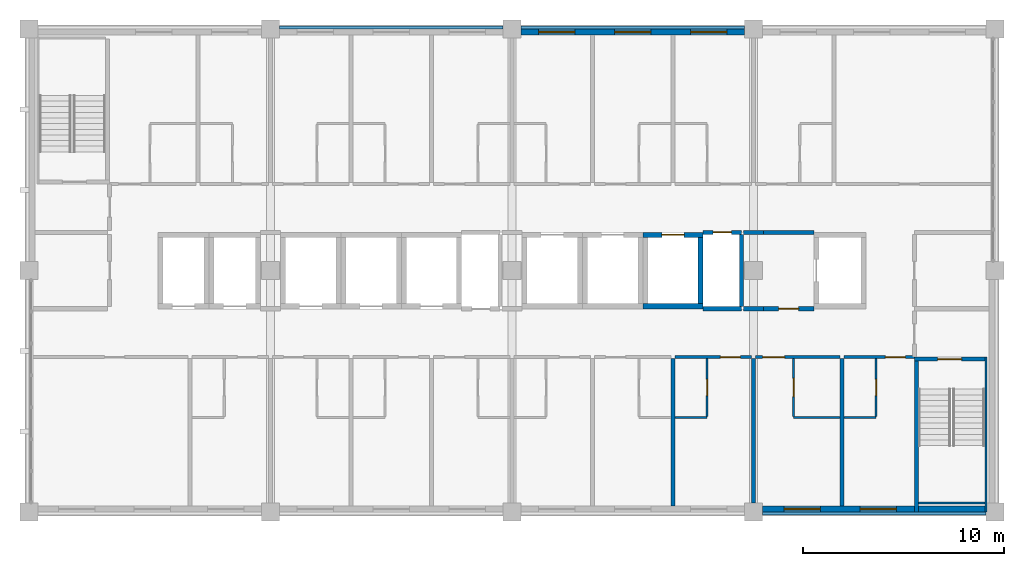
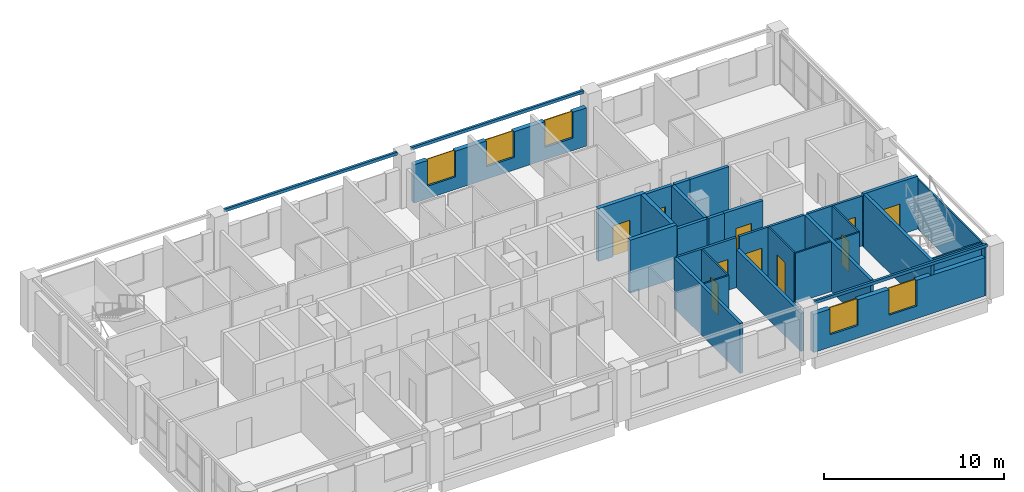
# One storey, part 9 of 11: 31 walls, 10 doors, 5 windows, 15 openings.
"""IFC4 building model written with IfcOpenShell, lengths in metres."""

from ifc_helpers import new_model, si_unit, direction, frame, frame_2d, origin, place, context, subcontext, project, spatial, rectangle, extrude, material, layer, layer_set, type_object, element, fill, save


model = new_model("IFC4")

# Units and contexts
model_context = context("Model", 3, precision=1e-05, world=origin(), true_north=direction((0.0, 1.0)))
body_context = subcontext(model_context, "Body", "Model", "MODEL_VIEW")
ifc_project = project(units=[si_unit("LENGTHUNIT", "METRE"), si_unit("AREAUNIT", "SQUARE_METRE"), si_unit("VOLUMEUNIT", "CUBIC_METRE"), si_unit("PLANEANGLEUNIT", "RADIAN"), si_unit("MASSUNIT", "GRAM", prefix="KILO")], contexts=[model_context])

# Site, building, storey
site_placement = place(None, origin())
site = spatial("IfcSite", under=ifc_project, at=site_placement, CompositionType="ELEMENT")
building_placement = place(site_placement, origin())
building = spatial("IfcBuilding", under=site, at=building_placement, Name="Lilac Gate Convention Centre", CompositionType="ELEMENT")
storey_placement = place(building_placement, frame((0.0, 0.0, 28.199951171875)))
storey = spatial("IfcBuildingStorey", under=building, at=storey_placement, Name="L06", CompositionType="ELEMENT", Elevation=28.199951171875)

# Walls
ifc_material_1 = material(Name="Concrete C60", Category="concrete")
ifc_layer_1 = layer(ifc_material_1, 0.10009765625)
ifc_layer_set_1 = layer_set([ifc_layer_1], Name="Concrete C60")
wall_type_1 = type_object("IfcWallType", Name="Core wall 100 C60", PredefinedType="SHEAR", material=ifc_layer_set_1)
wall_1_placement = place(storey_placement, frame((89.550048828125, 229.699951171875, 0.0), z_axis=(0.0, 0.0, 1.0), x_axis=(0.0, -1.0, 0.0)))
element("IfcWall", 1, at=wall_1_placement, inside=storey, type_object=wall_type_1, Name="CRW8 core wall TS-EX L06 1", PredefinedType="SHEAR", context=body_context, shape_type="SweptSolid", body=[
    extrude(rectangle(XDim=7.699951171875, YDim=0.10009765625, at=frame_2d((3.85009765625, 0.0))), origin(), (0.0, 0.0, 1.0), 3.400146484375),
])
wall_2_placement = place(storey_placement, frame((89.5, 222.449951171875, 0.0), z_axis=(0.0, 0.0, 1.0), x_axis=(-1.0, 0.0, 0.0)))
element("IfcWall", 2, at=wall_2_placement, inside=storey, type_object=wall_type_1, Name="CRW8 core wall TS-EX L06 2", PredefinedType="SHEAR", context=body_context, shape_type="SweptSolid", body=[
    extrude(rectangle(XDim=3.300048828125, YDim=0.10009765625, at=frame_2d((1.64990234375, 0.0))), origin(), (0.0, 0.0, 1.0), 3.400146484375),
])

# Wall, opening, door
ifc_layer_2 = layer(ifc_material_1, 0.199951171875)
ifc_layer_set_2 = layer_set([ifc_layer_2], Name="Concrete C60")
wall_type_2 = type_object("IfcWallType", Name="Core wall 200 C60", PredefinedType="SHEAR", material=ifc_layer_set_2)
wall_3_placement = place(storey_placement, frame((89.5, 229.60009765625, 0.0), z_axis=(0.0, 0.0, 1.0), x_axis=(-1.0, 0.0, 0.0)))
wall_3 = element("IfcWall", 3, at=wall_3_placement, inside=storey, type_object=wall_type_2, Name="CRW2 core wall TS-E L06 1", PredefinedType="SHEAR", context=body_context, shape_type="SweptSolid", body=[
    extrude(rectangle(XDim=3.5, YDim=0.199951171875, at=frame_2d((1.75, 0.0))), origin(), (0.0, 0.0, 1.0), 3.60009765625),
])
opening_1_placement = place(wall_3_placement, frame((1.14990234375, 0.0, 0.0)))
opening_1 = element("IfcOpeningElement", 4, at=opening_1_placement, cuts=wall_3, Name="Opening T04-056", PredefinedType="OPENING", context=body_context, shape_type="SweptSolid", body=[
    extrude(rectangle(XDim=1.199951171875, YDim=2.10009765625, at=frame_2d((0.60009765625, 1.050048828125))), frame((0.0, 0.10986328125, 0.0), z_axis=(0.0, -1.0, 0.0), x_axis=(1.0, 0.0, 0.0)), (0.0, 0.0, 1.0), 0.219970703125),
])
ifc_material_2 = material(Name="Steel Q235B", Category="steel")
door_type_1 = type_object("IfcDoorType", Name="Stair door 1200", OperationType="SINGLE_SWING_LEFT", PredefinedType="DOOR", material=ifc_material_2)
door_1_placement = place(opening_1_placement, origin())
door_1 = element("IfcDoor", 5, at=door_1_placement, inside=storey, type_object=door_type_1, Name="Stair door SE L06", OperationType="SINGLE_SWING_RIGHT", OverallHeight=2.10009765625, OverallWidth=1.199951171875, PredefinedType="DOOR", context=body_context, shape_type="SweptSolid", body=[
    extrude(rectangle(XDim=1.199951171875, YDim=2.10009765625, at=frame_2d((0.60009765625, 1.050048828125))), frame((0.0, 0.02490234375, 0.0), z_axis=(0.0, -1.0, 0.0), x_axis=(1.0, 0.0, 0.0)), (0.0, 0.0, 1.0), 0.050048828125),
])
fill(opening_1, door_1)

# Walls
wall_4_placement = place(storey_placement, frame((86.10009765625, 222.0, 0.0), z_axis=(0.0, 0.0, 1.0), x_axis=(0.0, 1.0, 0.0)))
element("IfcWall", 6, at=wall_4_placement, inside=storey, type_object=wall_type_2, Name="CRW2 core wall TS-E L06 2", PredefinedType="SHEAR", context=body_context, shape_type="SweptSolid", body=[
    extrude(rectangle(XDim=7.5, YDim=0.199951171875, at=frame_2d((3.75, 0.0))), origin(), (0.0, 0.0, 1.0), 3.60009765625),
])
ifc_layer_3 = layer(ifc_material_1, 0.25)
ifc_layer_set_3 = layer_set([ifc_layer_3], Name="Concrete C60")
wall_type_3 = type_object("IfcWallType", Name="Core wall 250 C60", PredefinedType="SHEAR", material=ifc_layer_set_3)
wall_5_placement = place(storey_placement, frame((72.5, 232.22509765625, 0.0), z_axis=(0.0, 0.0, 1.0), x_axis=(1.0, 0.0, 0.0)))
element("IfcWall", 7, at=wall_5_placement, inside=storey, type_object=wall_type_3, Name="CRW3 core wall TC L06 21", PredefinedType="SHEAR", context=body_context, shape_type="SweptSolid", body=[
    extrude(rectangle(XDim=3.0, YDim=0.25, at=frame_2d((1.5, 0.0))), origin(), (0.0, 0.0, 1.0), 3.60009765625),
])

# Wall, opening, door
wall_6_placement = place(storey_placement, frame((72.5, 235.77490234375, 0.0), z_axis=(0.0, 0.0, 1.0), x_axis=(1.0, 0.0, 0.0)))
wall_6 = element("IfcWall", 8, at=wall_6_placement, inside=storey, type_object=wall_type_3, Name="CRW3 core wall TC L06 22", PredefinedType="SHEAR", context=body_context, shape_type="SweptSolid", body=[
    extrude(rectangle(XDim=3.0, YDim=0.25, at=frame_2d((1.5, 0.0))), origin(), (0.0, 0.0, 1.0), 3.60009765625),
])
opening_2_placement = place(wall_6_placement, frame((0.949951171875, 0.0, 0.0)))
opening_2 = element("IfcOpeningElement", 9, at=opening_2_placement, cuts=wall_6, Name="Opening T04-051", PredefinedType="OPENING", context=body_context, shape_type="SweptSolid", body=[
    extrude(rectangle(XDim=1.10009765625, YDim=2.10009765625, at=frame_2d((0.550048828125, 1.050048828125))), frame((0.0, 0.135009765625, 0.0), z_axis=(0.0, -1.0, 0.0), x_axis=(1.0, 0.0, 0.0)), (0.0, 0.0, 1.0), 0.27001953125),
])
ifc_material_3 = material(Name="Stainless steel 304", Category="steel")
door_type_2 = type_object("IfcDoorType", Name="Lift landing door 1100", OperationType="SLIDING_TO_LEFT", PredefinedType="DOOR", material=ifc_material_3)
door_2_placement = place(opening_2_placement, origin())
door_2 = element("IfcDoor", 10, at=door_2_placement, inside=storey, type_object=door_type_2, Name="Lift landing door TP6 L06", OperationType="SLIDING_TO_LEFT", OverallHeight=2.10009765625, OverallWidth=1.10009765625, PredefinedType="DOOR", context=body_context, shape_type="SweptSolid", body=[
    extrude(rectangle(XDim=1.10009765625, YDim=2.10009765625, at=frame_2d((0.550048828125, 1.050048828125))), frame((0.0, 0.02490234375, 0.0), z_axis=(0.0, -1.0, 0.0), x_axis=(1.0, 0.0, 0.0)), (0.0, 0.0, 1.0), 0.050048828125),
])
fill(opening_2, door_2)

# Wall
wall_7_placement = place(storey_placement, frame((75.375, 232.35009765625, 0.0), z_axis=(0.0, 0.0, 1.0), x_axis=(0.0, 1.0, 0.0)))
element("IfcWall", 11, at=wall_7_placement, inside=storey, type_object=wall_type_3, Name="CRW3 core wall TC L06 24", PredefinedType="SHEAR", context=body_context, shape_type="SweptSolid", body=[
    extrude(rectangle(XDim=3.2998046875, YDim=0.25, at=frame_2d((1.64990234375, 0.0))), origin(), (0.0, 0.0, 1.0), 3.60009765625),
])

# Wall, opening, door
ifc_material_4 = material(Name="Gypsum board on steel stud", Category="steel")
ifc_layer_4 = layer(ifc_material_4, 0.14990234375)
ifc_layer_set_4 = layer_set([ifc_layer_4], Name="Gypsum board on steel stud")
wall_type_4 = type_object("IfcWallType", Name="Corridor wall 150", PredefinedType="PARTITIONING", material=ifc_layer_set_4)
wall_8_placement = place(storey_placement, frame((77.89990234375, 229.699951171875, 0.0), z_axis=(0.0, 0.0, 1.0), x_axis=(-1.0, 0.0, 0.0)))
wall_8 = element("IfcWall", 12, at=wall_8_placement, inside=storey, type_object=wall_type_4, Name="Corridor wall 150 front 0608", PredefinedType="PARTITIONING", context=body_context, shape_type="SweptSolid", body=[
    extrude(rectangle(XDim=3.7998046875, YDim=0.14990234375, at=frame_2d((1.89990234375, 0.0))), origin(), (0.0, 0.0, 1.0), 3.400146484375),
])
opening_3_placement = place(wall_8_placement, frame((0.550048828125, 0.0, 0.0)))
opening_3 = element("IfcOpeningElement", 13, at=opening_3_placement, cuts=wall_8, Name="Opening T04-021", PredefinedType="OPENING", context=body_context, shape_type="SweptSolid", body=[
    extrude(rectangle(XDim=1.0, YDim=2.10009765625, at=frame_2d((0.5, 1.050048828125))), frame((0.0, 0.0849609375, 0.0), z_axis=(0.0, -1.0, 0.0), x_axis=(1.0, 0.0, 0.0)), (0.0, 0.0, 1.0), 0.169921875),
])
ifc_material_5 = material(Name="Timber", Category="wood")
door_type_3 = type_object("IfcDoorType", Name="Guest room entrance door 1000", OperationType="SINGLE_SWING_LEFT", PredefinedType="DOOR", material=ifc_material_5)
door_3_placement = place(opening_3_placement, origin())
door_3 = element("IfcDoor", 14, at=door_3_placement, inside=storey, type_object=door_type_3, Name="Guest room door 0608", OperationType="SINGLE_SWING_LEFT", OverallHeight=2.10009765625, OverallWidth=1.0, PredefinedType="DOOR", context=body_context, shape_type="SweptSolid", body=[
    extrude(rectangle(XDim=1.0, YDim=2.10009765625, at=frame_2d((0.5, 1.050048828125))), frame((0.0, 0.02490234375, 0.0), z_axis=(0.0, -1.0, 0.0), x_axis=(1.0, 0.0, 0.0)), (0.0, 0.0, 1.0), 0.050048828125),
])
fill(opening_3, door_3)

wall_9_placement = place(storey_placement, frame((82.300048828125, 229.699951171875, 0.0), z_axis=(0.0, 0.0, 1.0), x_axis=(-1.0, 0.0, 0.0)))
wall_9 = element("IfcWall", 15, at=wall_9_placement, inside=storey, type_object=wall_type_4, Name="Corridor wall 150 front 0609", PredefinedType="PARTITIONING", context=body_context, shape_type="SweptSolid", body=[
    extrude(rectangle(XDim=4.199951171875, YDim=0.14990234375, at=frame_2d((2.10009765625, 0.0))), origin(), (0.0, 0.0, 1.0), 3.400146484375),
])
opening_4_placement = place(wall_9_placement, frame((2.75, 0.0, 0.0)))
opening_4 = element("IfcOpeningElement", 16, at=opening_4_placement, cuts=wall_9, Name="Opening T04-023", PredefinedType="OPENING", context=body_context, shape_type="SweptSolid", body=[
    extrude(rectangle(XDim=1.10009765625, YDim=2.10009765625, at=frame_2d((0.550048828125, 1.050048828125))), frame((0.0, 0.0849609375, 0.0), z_axis=(0.0, -1.0, 0.0), x_axis=(1.0, 0.0, 0.0)), (0.0, 0.0, 1.0), 0.169921875),
])
door_type_4 = type_object("IfcDoorType", Name="Accessible entrance door 1100", OperationType="SINGLE_SWING_LEFT", PredefinedType="DOOR", material=ifc_material_5)
door_4_placement = place(opening_4_placement, origin())
door_4 = element("IfcDoor", 17, at=door_4_placement, inside=storey, type_object=door_type_4, Name="Guest room door 0609", OperationType="SINGLE_SWING_RIGHT", OverallHeight=2.10009765625, OverallWidth=1.10009765625, PredefinedType="DOOR", context=body_context, shape_type="SweptSolid", body=[
    extrude(rectangle(XDim=1.10009765625, YDim=2.10009765625, at=frame_2d((0.550048828125, 1.050048828125))), frame((0.0, 0.02490234375, 0.0), z_axis=(0.0, -1.0, 0.0), x_axis=(1.0, 0.0, 0.0)), (0.0, 0.0, 1.0), 0.050048828125),
])
fill(opening_4, door_4)

wall_10_placement = place(storey_placement, frame((86.0, 229.699951171875, 0.0), z_axis=(0.0, 0.0, 1.0), x_axis=(-1.0, 0.0, 0.0)))
wall_10 = element("IfcWall", 18, at=wall_10_placement, inside=storey, type_object=wall_type_4, Name="Corridor wall 150 front 0610", PredefinedType="PARTITIONING", context=body_context, shape_type="SweptSolid", body=[
    extrude(rectangle(XDim=3.5, YDim=0.14990234375, at=frame_2d((1.75, 0.0))), origin(), (0.0, 0.0, 1.0), 3.400146484375),
])
opening_5_placement = place(wall_10_placement, frame((0.449951171875, 0.0, 0.0)))
opening_5 = element("IfcOpeningElement", 19, at=opening_5_placement, cuts=wall_10, Name="Opening T04-025", PredefinedType="OPENING", context=body_context, shape_type="SweptSolid", body=[
    extrude(rectangle(XDim=1.0, YDim=2.10009765625, at=frame_2d((0.5, 1.050048828125))), frame((0.0, 0.0849609375, 0.0), z_axis=(0.0, -1.0, 0.0), x_axis=(1.0, 0.0, 0.0)), (0.0, 0.0, 1.0), 0.169921875),
])
door_5_placement = place(opening_5_placement, origin())
door_5 = element("IfcDoor", 20, at=door_5_placement, inside=storey, type_object=door_type_3, Name="Guest room door 0610", OperationType="SINGLE_SWING_LEFT", OverallHeight=2.10009765625, OverallWidth=1.0, PredefinedType="DOOR", context=body_context, shape_type="SweptSolid", body=[
    extrude(rectangle(XDim=1.0, YDim=2.10009765625, at=frame_2d((0.5, 1.050048828125))), frame((0.0, 0.02490234375, 0.0), z_axis=(0.0, -1.0, 0.0), x_axis=(1.0, 0.0, 0.0)), (0.0, 0.0, 1.0), 0.050048828125),
])
fill(opening_5, door_5)

# Wall
ifc_layer_5 = layer(ifc_material_4, 0.10009765625)
ifc_layer_set_5 = layer_set([ifc_layer_5], Name="Gypsum board on steel stud")
wall_type_5 = type_object("IfcWallType", Name="En-suite wall 100", PredefinedType="PARTITIONING", material=ifc_layer_set_5)
wall_11_placement = place(storey_placement, frame((74.10009765625, 226.699951171875, 0.0), z_axis=(0.0, 0.0, 1.0), x_axis=(1.0, 0.0, 0.0)))
element("IfcWall", 21, at=wall_11_placement, inside=storey, type_object=wall_type_5, Name="En-suite wall 100 bath 0608", PredefinedType="PARTITIONING", context=body_context, shape_type="SweptSolid", body=[
    extrude(rectangle(XDim=1.599853515625, YDim=0.10009765625, at=frame_2d((0.7998046875, 0.0))), origin(), (0.0, 0.0, 1.0), 3.400146484375),
])

# Wall, opening, door
wall_12_placement = place(storey_placement, frame((75.699951171875, 229.625, 0.0), z_axis=(0.0, 0.0, 1.0), x_axis=(0.0, -1.0, 0.0)))
wall_12 = element("IfcWall", 22, at=wall_12_placement, inside=storey, type_object=wall_type_5, Name="En-suite wall 100 bath side 0608", PredefinedType="PARTITIONING", context=body_context, shape_type="SweptSolid", body=[
    extrude(rectangle(XDim=2.875, YDim=0.10009765625, at=frame_2d((1.4375, 0.0))), origin(), (0.0, 0.0, 1.0), 3.400146484375),
])
opening_6_placement = place(wall_12_placement, frame((1.03759765625, 0.0, 0.0)))
opening_6 = element("IfcOpeningElement", 23, at=opening_6_placement, cuts=wall_12, Name="Opening T04-022", PredefinedType="OPENING", context=body_context, shape_type="SweptSolid", body=[
    extrude(rectangle(XDim=0.800048828125, YDim=2.10009765625, at=frame_2d((0.39990234375, 1.050048828125))), frame((0.0, 0.06005859375, 0.0), z_axis=(0.0, -1.0, 0.0), x_axis=(1.0, 0.0, 0.0)), (0.0, 0.0, 1.0), 0.1201171875),
])
door_type_5 = type_object("IfcDoorType", Name="En-suite door 800", OperationType="SINGLE_SWING_LEFT", PredefinedType="DOOR", material=ifc_material_5)
door_6_placement = place(opening_6_placement, origin())
door_6 = element("IfcDoor", 24, at=door_6_placement, inside=storey, type_object=door_type_5, Name="En-suite door 0608", OperationType="SINGLE_SWING_LEFT", OverallHeight=2.10009765625, OverallWidth=0.800048828125, PredefinedType="DOOR", context=body_context, shape_type="SweptSolid", body=[
    extrude(rectangle(XDim=0.800048828125, YDim=2.10009765625, at=frame_2d((0.39990234375, 1.050048828125))), frame((0.0, 0.02490234375, 0.0), z_axis=(0.0, -1.0, 0.0), x_axis=(1.0, 0.0, 0.0)), (0.0, 0.0, 1.0), 0.050048828125),
])
fill(opening_6, door_6)

# Wall
wall_13_placement = place(storey_placement, frame((80.0, 226.699951171875, 0.0), z_axis=(0.0, 0.0, 1.0), x_axis=(1.0, 0.0, 0.0)))
element("IfcWall", 25, at=wall_13_placement, inside=storey, type_object=wall_type_5, Name="En-suite wall 100 bath 0609", PredefinedType="PARTITIONING", context=body_context, shape_type="SweptSolid", body=[
    extrude(rectangle(XDim=2.300048828125, YDim=0.10009765625, at=frame_2d((1.14990234375, 0.0))), origin(), (0.0, 0.0, 1.0), 3.400146484375),
])

# Wall, opening, door
wall_14_placement = place(storey_placement, frame((80.0, 226.75, 0.0), z_axis=(0.0, 0.0, 1.0), x_axis=(0.0, 1.0, 0.0)))
wall_14 = element("IfcWall", 26, at=wall_14_placement, inside=storey, type_object=wall_type_5, Name="En-suite wall 100 bath side 0609", PredefinedType="PARTITIONING", context=body_context, shape_type="SweptSolid", body=[
    extrude(rectangle(XDim=2.875, YDim=0.10009765625, at=frame_2d((1.4375, 0.0))), origin(), (0.0, 0.0, 1.0), 3.400146484375),
])
opening_7_placement = place(wall_14_placement, frame((0.987548828125, 0.0, 0.0)))
opening_7 = element("IfcOpeningElement", 27, at=opening_7_placement, cuts=wall_14, Name="Opening T04-024", PredefinedType="OPENING", context=body_context, shape_type="SweptSolid", body=[
    extrude(rectangle(XDim=0.89990234375, YDim=2.10009765625, at=frame_2d((0.449951171875, 1.050048828125))), frame((0.0, 0.06005859375, 0.0), z_axis=(0.0, -1.0, 0.0), x_axis=(1.0, 0.0, 0.0)), (0.0, 0.0, 1.0), 0.1201171875),
])
door_type_6 = type_object("IfcDoorType", Name="Accessible en-suite door 900", OperationType="SINGLE_SWING_LEFT", PredefinedType="DOOR", material=ifc_material_5)
door_7_placement = place(opening_7_placement, origin())
door_7 = element("IfcDoor", 28, at=door_7_placement, inside=storey, type_object=door_type_6, Name="En-suite door 0609", OperationType="SINGLE_SWING_RIGHT", OverallHeight=2.10009765625, OverallWidth=0.89990234375, PredefinedType="DOOR", context=body_context, shape_type="SweptSolid", body=[
    extrude(rectangle(XDim=0.89990234375, YDim=2.10009765625, at=frame_2d((0.449951171875, 1.050048828125))), frame((0.0, 0.02490234375, 0.0), z_axis=(0.0, -1.0, 0.0), x_axis=(1.0, 0.0, 0.0)), (0.0, 0.0, 1.0), 0.050048828125),
])
fill(opening_7, door_7)

# Wall
wall_15_placement = place(storey_placement, frame((82.5, 226.699951171875, 0.0), z_axis=(0.0, 0.0, 1.0), x_axis=(1.0, 0.0, 0.0)))
element("IfcWall", 29, at=wall_15_placement, inside=storey, type_object=wall_type_5, Name="En-suite wall 100 bath 0610", PredefinedType="PARTITIONING", context=body_context, shape_type="SweptSolid", body=[
    extrude(rectangle(XDim=1.60009765625, YDim=0.10009765625, at=frame_2d((0.800048828125, 0.0))), origin(), (0.0, 0.0, 1.0), 3.400146484375),
])

# Wall, opening, door
wall_16_placement = place(storey_placement, frame((84.10009765625, 229.625, 0.0), z_axis=(0.0, 0.0, 1.0), x_axis=(0.0, -1.0, 0.0)))
wall_16 = element("IfcWall", 30, at=wall_16_placement, inside=storey, type_object=wall_type_5, Name="En-suite wall 100 bath side 0610", PredefinedType="PARTITIONING", context=body_context, shape_type="SweptSolid", body=[
    extrude(rectangle(XDim=2.875, YDim=0.10009765625, at=frame_2d((1.4375, 0.0))), origin(), (0.0, 0.0, 1.0), 3.400146484375),
])
opening_8_placement = place(wall_16_placement, frame((1.03759765625, 0.0, 0.0)))
opening_8 = element("IfcOpeningElement", 31, at=opening_8_placement, cuts=wall_16, Name="Opening T04-026", PredefinedType="OPENING", context=body_context, shape_type="SweptSolid", body=[
    extrude(rectangle(XDim=0.800048828125, YDim=2.10009765625, at=frame_2d((0.39990234375, 1.050048828125))), frame((0.0, 0.06005859375, 0.0), z_axis=(0.0, -1.0, 0.0), x_axis=(1.0, 0.0, 0.0)), (0.0, 0.0, 1.0), 0.1201171875),
])
door_8_placement = place(opening_8_placement, origin())
door_8 = element("IfcDoor", 32, at=door_8_placement, inside=storey, type_object=door_type_5, Name="En-suite door 0610", OperationType="SINGLE_SWING_LEFT", OverallHeight=2.10009765625, OverallWidth=0.800048828125, PredefinedType="DOOR", context=body_context, shape_type="SweptSolid", body=[
    extrude(rectangle(XDim=0.800048828125, YDim=2.10009765625, at=frame_2d((0.39990234375, 1.050048828125))), frame((0.0, 0.02490234375, 0.0), z_axis=(0.0, -1.0, 0.0), x_axis=(1.0, 0.0, 0.0)), (0.0, 0.0, 1.0), 0.050048828125),
])
fill(opening_8, door_8)

# Walls
ifc_layer_6 = layer(ifc_material_4, 0.199951171875)
ifc_layer_set_6 = layer_set([ifc_layer_6], Name="Gypsum board on steel stud")
wall_type_6 = type_object("IfcWallType", Name="Guest room party wall 200", PredefinedType="PARTITIONING", material=ifc_layer_set_6)
wall_17_placement = place(storey_placement, frame((74.0, 222.2998046875, 0.0), z_axis=(0.0, 0.0, 1.0), x_axis=(0.0, 1.0, 0.0)))
element("IfcWall", 33, at=wall_17_placement, inside=storey, type_object=wall_type_6, Name="Guest room party wall 200 party 74.0", PredefinedType="PARTITIONING", context=body_context, shape_type="SweptSolid", body=[
    extrude(rectangle(XDim=7.3251953125, YDim=0.199951171875, at=frame_2d((3.66259765625, 0.0))), origin(), (0.0, 0.0, 1.0), 3.400146484375),
])
wall_18_placement = place(storey_placement, frame((78.0, 222.449951171875, 0.0), z_axis=(0.0, 0.0, 1.0), x_axis=(0.0, 1.0, 0.0)))
element("IfcWall", 34, at=wall_18_placement, inside=storey, type_object=wall_type_6, Name="Guest room party wall 200 party 78.0", PredefinedType="PARTITIONING", context=body_context, shape_type="SweptSolid", body=[
    extrude(rectangle(XDim=7.175048828125, YDim=0.199951171875, at=frame_2d((3.58740234375, 0.0))), origin(), (0.0, 0.0, 1.0), 2.60009765625),
])
wall_19_placement = place(storey_placement, frame((82.39990234375, 222.2998046875, 0.0), z_axis=(0.0, 0.0, 1.0), x_axis=(0.0, 1.0, 0.0)))
element("IfcWall", 35, at=wall_19_placement, inside=storey, type_object=wall_type_6, Name="Guest room party wall 200 party 82.4", PredefinedType="PARTITIONING", context=body_context, shape_type="SweptSolid", body=[
    extrude(rectangle(XDim=7.3251953125, YDim=0.199951171875, at=frame_2d((3.66259765625, 0.0))), origin(), (0.0, 0.0, 1.0), 3.400146484375),
])

# Wall, opening, door
ifc_layer_7 = layer(ifc_material_4, 0.199951171875)
ifc_layer_set_7 = layer_set([ifc_layer_7], Name="Gypsum board on steel stud")
wall_type_7 = type_object("IfcWallType", Name="Lobby wall 200", PredefinedType="PARTITIONING", material=ifc_layer_set_7)
wall_20_placement = place(storey_placement, frame((78.5, 232.10009765625, 0.0), z_axis=(0.0, 0.0, 1.0), x_axis=(1.0, 0.0, 0.0)))
wall_20 = element("IfcWall", 36, at=wall_20_placement, inside=storey, type_object=wall_type_7, Name="Lobby wall 200 FFL-S", PredefinedType="PARTITIONING", context=body_context, shape_type="SweptSolid", body=[
    extrude(rectangle(XDim=2.5, YDim=0.199951171875, at=frame_2d((1.25, 0.0))), origin(), (0.0, 0.0, 1.0), 3.400146484375),
])
opening_9_placement = place(wall_20_placement, frame((0.75, 0.0, 0.0)))
opening_9 = element("IfcOpeningElement", 37, at=opening_9_placement, cuts=wall_20, Name="Opening T04-004", PredefinedType="OPENING", context=body_context, shape_type="SweptSolid", body=[
    extrude(rectangle(XDim=1.0, YDim=2.10009765625, at=frame_2d((0.5, 1.050048828125))), frame((0.0, 0.10986328125, 0.0), z_axis=(0.0, -1.0, 0.0), x_axis=(1.0, 0.0, 0.0)), (0.0, 0.0, 1.0), 0.219970703125),
])
door_type_7 = type_object("IfcDoorType", Name="Lobby door 1000", OperationType="SINGLE_SWING_LEFT", PredefinedType="DOOR", material=ifc_material_2)
door_9_placement = place(opening_9_placement, origin())
door_9 = element("IfcDoor", 38, at=door_9_placement, inside=storey, type_object=door_type_7, Name="Firefighting lobby door", OperationType="SINGLE_SWING_RIGHT", OverallHeight=2.10009765625, OverallWidth=1.0, PredefinedType="DOOR", context=body_context, shape_type="SweptSolid", body=[
    extrude(rectangle(XDim=1.0, YDim=2.10009765625, at=frame_2d((0.5, 1.050048828125))), frame((0.0, 0.02490234375, 0.0), z_axis=(0.0, -1.0, 0.0), x_axis=(1.0, 0.0, 0.0)), (0.0, 0.0, 1.0), 0.050048828125),
])
fill(opening_9, door_9)

# Walls
wall_21_placement = place(storey_placement, frame((78.5, 235.89990234375, 0.0), z_axis=(0.0, 0.0, 1.0), x_axis=(1.0, 0.0, 0.0)))
element("IfcWall", 39, at=wall_21_placement, inside=storey, type_object=wall_type_7, Name="Lobby wall 200 FFL-N", PredefinedType="PARTITIONING", context=body_context, shape_type="SweptSolid", body=[
    extrude(rectangle(XDim=2.5, YDim=0.199951171875, at=frame_2d((1.25, 0.0))), origin(), (0.0, 0.0, 1.0), 3.400146484375),
])
ifc_material_6 = material(Name="Concrete C40 precast", Category="concrete")
ifc_layer_8 = layer(ifc_material_6, 0.1298828125)
ifc_material_7 = material(Name="Ochre mineral render")
ifc_layer_9 = layer(ifc_material_7, 0.02001953125)
ifc_layer_set_8 = layer_set([ifc_layer_8, ifc_layer_9], Name="Concrete C40 precast, Ochre mineral render")
wall_type_8 = type_object("IfcWallType", Name="Precast band ochre 150", PredefinedType="STANDARD", material=ifc_layer_set_8)
for number, where, z_axis, x_axis, name in (
    (40, (78.449951171875, 221.925048828125, 3.400146484375), (0.0, 0.0, 1.0), (1.0, 0.0, 0.0), "Precast band S L06 4"),
    (41, (77.550048828125, 246.074951171875, 3.400146484375), (0.0, 0.0, 1.0), (-1.0, 0.0, 0.0), "Precast band N L06 2"),
    (42, (65.550048828125, 246.074951171875, 3.400146484375), (0.0, 0.0, 1.0), (-1.0, 0.0, 0.0), "Precast band N L06 3"),
):
    element("IfcWall", number, at=place(storey_placement, frame(where, z_axis=z_axis, x_axis=x_axis)), inside=storey, type_object=wall_type_8, Name=name, PredefinedType="STANDARD", context=body_context, shape_type="SweptSolid", body=[
        extrude(rectangle(XDim=11.10009765625, YDim=0.14990234375, at=frame_2d((5.550048828125, 0.0))), origin(), (0.0, 0.0, 1.0), 0.199951171875),
    ])

# Wall, openings, windows
ifc_layer_10 = layer(ifc_material_7, 0.02001953125)
ifc_layer_11 = layer(ifc_material_6, 0.06005859375)
ifc_material_8 = material(Name="Ventilated air cavity")
ifc_layer_12 = layer(ifc_material_8, 0.030029296875)
ifc_material_9 = material(Name="Mineral wool insulation")
ifc_layer_13 = layer(ifc_material_9, 0.1201171875)
ifc_material_10 = material(Name="Steel stud Q345 and gypsum lining", Category="steel")
ifc_layer_14 = layer(ifc_material_10, 0.070068359375)
ifc_layer_set_9 = layer_set([ifc_layer_10, ifc_layer_11, ifc_layer_12, ifc_layer_13, ifc_layer_14], Name="Ochre mineral render, Concrete C40 precast, Ventilated air cavity, Mineral wool insulation, Steel stud Q345 and gypsum lining")
wall_type_9 = type_object("IfcWallType", Name="Precast panel wall ochre 300", PredefinedType="STANDARD", material=ifc_layer_set_9)
wall_22_placement = place(storey_placement, frame((78.449951171875, 222.14990234375, 0.0), z_axis=(0.0, 0.0, 1.0), x_axis=(1.0, 0.0, 0.0)))
wall_22 = element("IfcWall", 43, at=wall_22_placement, inside=storey, type_object=wall_type_9, Name="External wall S L06 4", PredefinedType="STANDARD", context=body_context, shape_type="SweptSolid", body=[
    extrude(rectangle(XDim=11.10009765625, YDim=0.300048828125, at=frame_2d((5.550048828125, 0.0))), origin(), (0.0, 0.0, 1.0), 2.60009765625),
])
opening_10_placement = place(wall_22_placement, frame((1.074951171875, 0.0, 0.85009765625)))
opening_10 = element("IfcOpeningElement", 44, at=opening_10_placement, cuts=wall_22, Name="Opening W1", PredefinedType="OPENING", context=body_context, shape_type="SweptSolid", body=[
    extrude(rectangle(XDim=1.800048828125, YDim=1.75, at=frame_2d((0.89990234375, 0.875))), frame((0.0, 0.159912109375, 0.0), z_axis=(0.0, -1.0, 0.0), x_axis=(1.0, 0.0, 0.0)), (0.0, 0.0, 1.0), 0.320068359375),
])
opening_11_placement = place(wall_22_placement, frame((4.85009765625, 0.0, 0.85009765625)))
opening_11 = element("IfcOpeningElement", 45, at=opening_11_placement, cuts=wall_22, Name="Opening W1", PredefinedType="OPENING", context=body_context, shape_type="SweptSolid", body=[
    extrude(rectangle(XDim=1.800048828125, YDim=1.75, at=frame_2d((0.89990234375, 0.875))), frame((0.0, 0.159912109375, 0.0), z_axis=(0.0, -1.0, 0.0), x_axis=(1.0, 0.0, 0.0)), (0.0, 0.0, 1.0), 0.320068359375),
])
ifc_material_11 = material(Name="Aluminium framed double glazing", Category="aluminium")
window_type = type_object("IfcWindowType", Name="Guest room window 1800 x 1750", PartitioningType="DOUBLE_PANEL_VERTICAL", PredefinedType="WINDOW", material=ifc_material_11)
window_1_placement = place(opening_10_placement, origin())
window_1 = element("IfcWindow", 46, at=window_1_placement, inside=storey, type_object=window_type, Name="Window Guest S L06", OverallHeight=1.75, OverallWidth=1.800048828125, PartitioningType="SINGLE_PANEL", PredefinedType="WINDOW", context=body_context, shape_type="SweptSolid", body=[
    extrude(rectangle(XDim=1.800048828125, YDim=1.75, at=frame_2d((0.89990234375, 0.875))), frame((0.0, 0.030029296875, 0.0), z_axis=(0.0, -1.0, 0.0), x_axis=(1.0, 0.0, 0.0)), (0.0, 0.0, 1.0), 0.06005859375),
])
fill(opening_10, window_1)
window_2_placement = place(opening_11_placement, origin())
window_2 = element("IfcWindow", 47, at=window_2_placement, inside=storey, type_object=window_type, Name="Window Guest S L06", OverallHeight=1.75, OverallWidth=1.800048828125, PartitioningType="SINGLE_PANEL", PredefinedType="WINDOW", context=body_context, shape_type="SweptSolid", body=[
    extrude(rectangle(XDim=1.800048828125, YDim=1.75, at=frame_2d((0.89990234375, 0.875))), frame((0.0, 0.030029296875, 0.0), z_axis=(0.0, -1.0, 0.0), x_axis=(1.0, 0.0, 0.0)), (0.0, 0.0, 1.0), 0.06005859375),
])
fill(opening_11, window_2)

wall_23_placement = place(storey_placement, frame((77.550048828125, 245.85009765625, 0.0), z_axis=(0.0, 0.0, 1.0), x_axis=(-1.0, 0.0, 0.0)))
wall_23 = element("IfcWall", 48, at=wall_23_placement, inside=storey, type_object=wall_type_9, Name="External wall N L06 2", PredefinedType="STANDARD", context=body_context, shape_type="SweptSolid", body=[
    extrude(rectangle(XDim=11.10009765625, YDim=0.300048828125, at=frame_2d((5.550048828125, 0.0))), origin(), (0.0, 0.0, 1.0), 2.60009765625),
])
opening_12_placement = place(wall_23_placement, frame((8.425048828125, 0.0, 0.85009765625)))
opening_12 = element("IfcOpeningElement", 49, at=opening_12_placement, cuts=wall_23, Name="Opening W1", PredefinedType="OPENING", context=body_context, shape_type="SweptSolid", body=[
    extrude(rectangle(XDim=1.800048828125, YDim=1.75, at=frame_2d((0.89990234375, 0.875))), frame((0.0, 0.159912109375, 0.0), z_axis=(0.0, -1.0, 0.0), x_axis=(1.0, 0.0, 0.0)), (0.0, 0.0, 1.0), 0.320068359375),
])
opening_13_placement = place(wall_23_placement, frame((4.64990234375, 0.0, 0.85009765625)))
opening_13 = element("IfcOpeningElement", 50, at=opening_13_placement, cuts=wall_23, Name="Opening W1", PredefinedType="OPENING", context=body_context, shape_type="SweptSolid", body=[
    extrude(rectangle(XDim=1.800048828125, YDim=1.75, at=frame_2d((0.89990234375, 0.875))), frame((0.0, 0.159912109375, 0.0), z_axis=(0.0, -1.0, 0.0), x_axis=(1.0, 0.0, 0.0)), (0.0, 0.0, 1.0), 0.320068359375),
])
opening_14_placement = place(wall_23_placement, frame((0.875, 0.0, 0.85009765625)))
opening_14 = element("IfcOpeningElement", 51, at=opening_14_placement, cuts=wall_23, Name="Opening W1", PredefinedType="OPENING", context=body_context, shape_type="SweptSolid", body=[
    extrude(rectangle(XDim=1.800048828125, YDim=1.75, at=frame_2d((0.89990234375, 0.875))), frame((0.0, 0.159912109375, 0.0), z_axis=(0.0, -1.0, 0.0), x_axis=(1.0, 0.0, 0.0)), (0.0, 0.0, 1.0), 0.320068359375),
])
window_3_placement = place(opening_12_placement, origin())
window_3 = element("IfcWindow", 52, at=window_3_placement, inside=storey, type_object=window_type, Name="Window Guest N L06", OverallHeight=1.75, OverallWidth=1.800048828125, PartitioningType="SINGLE_PANEL", PredefinedType="WINDOW", context=body_context, shape_type="SweptSolid", body=[
    extrude(rectangle(XDim=1.800048828125, YDim=1.75, at=frame_2d((0.89990234375, 0.875))), frame((0.0, 0.030029296875, 0.0), z_axis=(0.0, -1.0, 0.0), x_axis=(1.0, 0.0, 0.0)), (0.0, 0.0, 1.0), 0.06005859375),
])
fill(opening_12, window_3)
window_4_placement = place(opening_13_placement, origin())
window_4 = element("IfcWindow", 53, at=window_4_placement, inside=storey, type_object=window_type, Name="Window Guest N L06", OverallHeight=1.75, OverallWidth=1.800048828125, PartitioningType="SINGLE_PANEL", PredefinedType="WINDOW", context=body_context, shape_type="SweptSolid", body=[
    extrude(rectangle(XDim=1.800048828125, YDim=1.75, at=frame_2d((0.89990234375, 0.875))), frame((0.0, 0.030029296875, 0.0), z_axis=(0.0, -1.0, 0.0), x_axis=(1.0, 0.0, 0.0)), (0.0, 0.0, 1.0), 0.06005859375),
])
fill(opening_13, window_4)
window_5_placement = place(opening_14_placement, origin())
window_5 = element("IfcWindow", 54, at=window_5_placement, inside=storey, type_object=window_type, Name="Window Guest N L06", OverallHeight=1.75, OverallWidth=1.800048828125, PartitioningType="SINGLE_PANEL", PredefinedType="WINDOW", context=body_context, shape_type="SweptSolid", body=[
    extrude(rectangle(XDim=1.800048828125, YDim=1.75, at=frame_2d((0.89990234375, 0.875))), frame((0.0, 0.030029296875, 0.0), z_axis=(0.0, -1.0, 0.0), x_axis=(1.0, 0.0, 0.0)), (0.0, 0.0, 1.0), 0.06005859375),
])
fill(opening_14, window_5)

# Walls
ifc_layer_15 = layer(ifc_material_4, 0.199951171875)
ifc_layer_set_10 = layer_set([ifc_layer_15], Name="Gypsum board on steel stud")
wall_type_10 = type_object("IfcWallType", Name="Riser and store wall 200", PredefinedType="PARTITIONING", material=ifc_layer_set_10)
wall_24_placement = place(storey_placement, frame((75.5, 232.10009765625, 0.0), z_axis=(0.0, 0.0, 1.0), x_axis=(1.0, 0.0, 0.0)))
element("IfcWall", 55, at=wall_24_placement, inside=storey, type_object=wall_type_10, Name="Riser and store wall 200 RS2-S", PredefinedType="PARTITIONING", context=body_context, shape_type="SweptSolid", body=[
    extrude(rectangle(XDim=1.89990234375, YDim=0.199951171875, at=frame_2d((0.949951171875, 0.0))), origin(), (0.0, 0.0, 1.0), 3.400146484375),
])
wall_25_placement = place(storey_placement, frame((77.5, 232.10009765625, 0.0), z_axis=(0.0, 0.0, 1.0), x_axis=(1.0, 0.0, 0.0)))
element("IfcWall", 56, at=wall_25_placement, inside=storey, type_object=wall_type_10, Name="Riser and store wall 200 NICHE3-S", PredefinedType="PARTITIONING", context=body_context, shape_type="SweptSolid", body=[
    extrude(rectangle(XDim=1.0, YDim=0.199951171875, at=frame_2d((0.5, 0.0))), origin(), (0.0, 0.0, 1.0), 3.400146484375),
])

# Wall, opening, door
wall_26_placement = place(storey_placement, frame((77.39990234375, 235.89990234375, 0.0), z_axis=(0.0, 0.0, 1.0), x_axis=(-1.0, 0.0, 0.0)))
wall_26 = element("IfcWall", 57, at=wall_26_placement, inside=storey, type_object=wall_type_10, Name="Riser and store wall 200 RS2-N", PredefinedType="PARTITIONING", context=body_context, shape_type="SweptSolid", body=[
    extrude(rectangle(XDim=1.89990234375, YDim=0.199951171875, at=frame_2d((0.949951171875, 0.0))), origin(), (0.0, 0.0, 1.0), 3.400146484375),
])
opening_15_placement = place(wall_26_placement, frame((0.5, 0.0, 0.0)))
opening_15 = element("IfcOpeningElement", 58, at=opening_15_placement, cuts=wall_26, Name="Opening T04-003", PredefinedType="OPENING", context=body_context, shape_type="SweptSolid", body=[
    extrude(rectangle(XDim=0.89990234375, YDim=2.10009765625, at=frame_2d((0.449951171875, 1.050048828125))), frame((0.0, 0.10986328125, 0.0), z_axis=(0.0, -1.0, 0.0), x_axis=(1.0, 0.0, 0.0)), (0.0, 0.0, 1.0), 0.219970703125),
])
door_type_8 = type_object("IfcDoorType", Name="Riser and store door 900", OperationType="SINGLE_SWING_LEFT", PredefinedType="DOOR", material=ifc_material_2)
door_10_placement = place(opening_15_placement, origin())
door_10 = element("IfcDoor", 59, at=door_10_placement, inside=storey, type_object=door_type_8, Name="Riser room door", OperationType="SINGLE_SWING_LEFT", OverallHeight=2.10009765625, OverallWidth=0.89990234375, PredefinedType="DOOR", context=body_context, shape_type="SweptSolid", body=[
    extrude(rectangle(XDim=0.89990234375, YDim=2.10009765625, at=frame_2d((0.449951171875, 1.050048828125))), frame((0.0, 0.02490234375, 0.0), z_axis=(0.0, -1.0, 0.0), x_axis=(1.0, 0.0, 0.0)), (0.0, 0.0, 1.0), 0.050048828125),
])
fill(opening_15, door_10)

# Walls
wall_27_placement = place(storey_placement, frame((77.5, 235.89990234375, 0.0), z_axis=(0.0, 0.0, 1.0), x_axis=(1.0, 0.0, 0.0)))
element("IfcWall", 60, at=wall_27_placement, inside=storey, type_object=wall_type_10, Name="Riser and store wall 200 NICHE3-N", PredefinedType="PARTITIONING", context=body_context, shape_type="SweptSolid", body=[
    extrude(rectangle(XDim=1.0, YDim=0.199951171875, at=frame_2d((0.5, 0.0))), origin(), (0.0, 0.0, 1.0), 3.400146484375),
])
wall_28_placement = place(storey_placement, frame((77.39990234375, 232.199951171875, 0.0), z_axis=(0.0, 0.0, 1.0), x_axis=(0.0, 1.0, 0.0)))
element("IfcWall", 61, at=wall_28_placement, inside=storey, type_object=wall_type_10, Name="Riser and store wall 200 RS2-E", PredefinedType="PARTITIONING", context=body_context, shape_type="SweptSolid", body=[
    extrude(rectangle(XDim=3.60009765625, YDim=0.199951171875, at=frame_2d((1.800048828125, 0.0))), origin(), (0.0, 0.0, 1.0), 3.400146484375),
])

save(model, "model.ifc")
